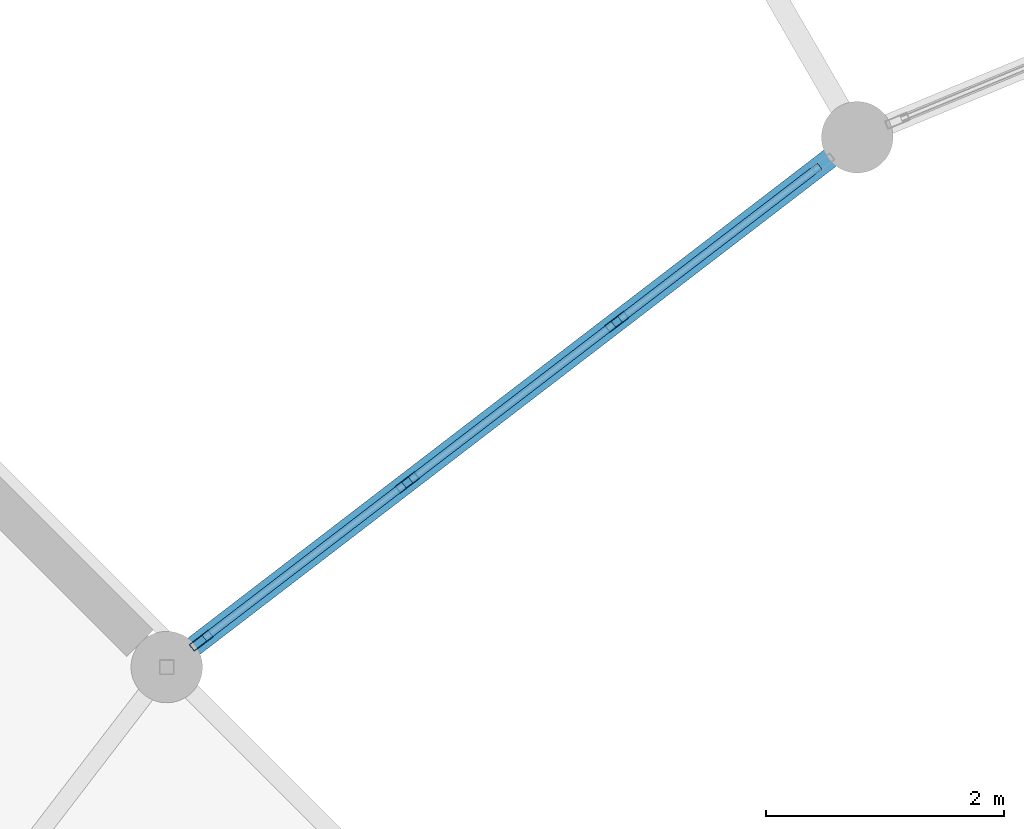
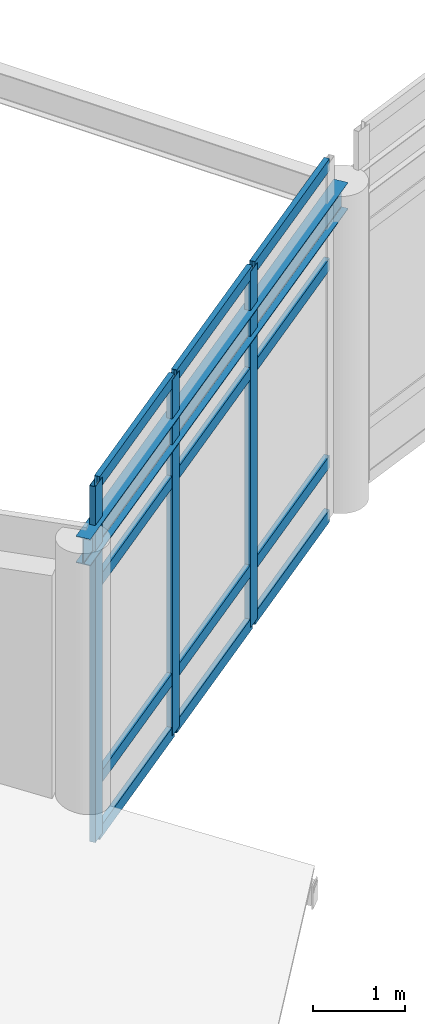
# One storey, part 39 of 93: 15 members, 1 beam, 1 element without a shape of its own.
"""IFC4 building model written with IfcOpenShell, lengths in metres."""

from ifc_helpers import new_model, si_unit, direction, frame, origin, origin_2d, place, context, subcontext, project, spatial, hollow_rectangle, i_section, extrude, material, material_profile, profile_set, type_object, element, aggregate, save


model = new_model("IFC4")

# Units and contexts
model_context = context("Model", 3, precision=1e-05, world=origin(), true_north=direction((0.0, 1.0)))
body_context = subcontext(model_context, "Body", "Model", "MODEL_VIEW")
ifc_project = project(units=[si_unit("LENGTHUNIT", "METRE"), si_unit("AREAUNIT", "SQUARE_METRE"), si_unit("VOLUMEUNIT", "CUBIC_METRE"), si_unit("PLANEANGLEUNIT", "RADIAN"), si_unit("MASSUNIT", "GRAM", prefix="KILO")], contexts=[model_context])

# Site, building, storey
site_placement = place(None, origin())
site = spatial("IfcSite", under=ifc_project, at=site_placement, CompositionType="ELEMENT")
building_placement = place(site_placement, origin())
building = spatial("IfcBuilding", under=site, at=building_placement, Name="Vondelvale Polytechnic", CompositionType="ELEMENT")
storey_placement = place(building_placement, frame((0.0, 0.0, 18.0)))
storey = spatial("IfcBuildingStorey", under=building, at=storey_placement, Name="L04", CompositionType="ELEMENT", Elevation=18.0)

# Beam
ifc_material_1 = material(Name="Steel 300PLUS (fy = 300 MPa)", Category="steel")
ifc_material_profile_1 = material_profile(ifc_material_1, i_section(OverallWidth=0.1708984375, OverallDepth=0.35205078125, WebThickness=0.0068359375, FlangeThickness=0.009765625, FilletRadius=0.011474609375, at=origin_2d()), Name="360UB44.7")
ifc_profile_set_1 = profile_set([ifc_material_profile_1], Name="Steel 300PLUS (fy = 300 MPa)")
beam_type = type_object("IfcBeamType", Name="BM-UB360L", PredefinedType="BEAM", material=ifc_profile_set_1)
beam_placement = place(storey_placement, frame((88.0, 96.248779296875, 4.02392578125), z_axis=(-0.793358469083, -0.608754744979, 0.0), x_axis=(0.608754744979, -0.793358469083, 0.0)))
element("IfcBeam", 1, at=beam_placement, inside=storey, type_object=beam_type, Name="L04 RE B-24", PredefinedType="BEAM", context=body_context, shape_type="SweptSolid", body=[
    extrude(i_section(OverallWidth=0.1708984375, OverallDepth=0.35205078125, WebThickness=0.0068359375, FlangeThickness=0.009765625, FilletRadius=0.011474609375, at=origin_2d()), origin(), (0.0, 0.0, 1.0), 7.3095703125),
])

# Curtain wall, members
ifc_material_2 = material(Name="Anodised extruded aluminium 6063-T6", Category="aluminium")
curtain_wall_type = type_object("IfcCurtainWallType", Name="CW-RING-CLOISTER", PredefinedType="NOTDEFINED", material=ifc_material_2)
curtain_wall_placement = place(storey_placement, origin())
curtain_wall = element("IfcCurtainWall", 2, at=curtain_wall_placement, inside=storey, type_object=curtain_wall_type, Name="L04 architectural curtain wall CW-03-206", PredefinedType="NOTDEFINED")
ifc_material_profile_2 = material_profile(ifc_material_2, hollow_rectangle(XDim=0.070068359375, YDim=0.199951171875, WallThickness=0.00390625, at=origin_2d()), Name="CW-MUL-200x70")
ifc_profile_set_2 = profile_set([ifc_material_profile_2], Name="Anodised extruded aluminium 6063-T6")
member_type_1 = type_object("IfcMemberType", Name="CW-MUL-70x200", PredefinedType="MULLION", material=ifc_profile_set_2)
member_1_placement = place(storey_placement, frame((85.97998046875, 94.69873046875, 0.0), z_axis=(0.0, 0.0, 1.0), x_axis=(0.608747717793, -0.793363861089, 0.0)))
member_1 = element("IfcMember", 3, at=member_1_placement, type_object=member_type_1, Name="CW-03-206 mullion 2", PredefinedType="MULLION", context=body_context, shape_type="SweptSolid", body=[
    extrude(hollow_rectangle(XDim=0.070068359375, YDim=0.199951171875, WallThickness=0.00390625, at=origin_2d()), origin(), (0.0, 0.0, 1.0), 4.713134765625),
])
member_2_placement = place(storey_placement, frame((84.220947265625, 93.348876953125, 0.0), z_axis=(0.0, 0.0, 1.0), x_axis=(0.608747717793, -0.793363861089, 0.0)))
member_2 = element("IfcMember", 4, at=member_2_placement, type_object=member_type_1, Name="CW-03-206 mullion 3", PredefinedType="MULLION", context=body_context, shape_type="SweptSolid", body=[
    extrude(hollow_rectangle(XDim=0.070068359375, YDim=0.199951171875, WallThickness=0.00390625, at=origin_2d()), origin(), (0.0, 0.0, 1.0), 4.713134765625),
])
member_3_placement = place(storey_placement, frame((82.489501953125, 92.0205078125, 0.0), z_axis=(0.0, 0.0, 1.0), x_axis=(0.608747717793, -0.793363861089, 0.0)))
member_3 = element("IfcMember", 5, at=member_3_placement, type_object=member_type_1, Name="CW-03-206 mullion 4", PredefinedType="MULLION", context=body_context, shape_type="SweptSolid", body=[
    extrude(hollow_rectangle(XDim=0.070068359375, YDim=0.199951171875, WallThickness=0.00390625, at=origin_2d()), origin(), (0.0, 0.0, 1.0), 4.713134765625),
])
ifc_material_profile_3 = material_profile(ifc_material_2, hollow_rectangle(XDim=0.06494140625, YDim=0.159912109375, WallThickness=0.00341796875, at=origin_2d()), Name="CW-TRN-160x65")
ifc_profile_set_3 = profile_set([ifc_material_profile_3], Name="Anodised extruded aluminium 6063-T6")
member_type_2 = type_object("IfcMemberType", Name="CW-TRN-70x160", PredefinedType="USERDEFINED", material=ifc_profile_set_3)
member_4_placement = place(storey_placement, frame((87.683837890625, 96.006103515625, 0.032470703125), z_axis=(-0.793336583571, -0.608783266169, 0.0), x_axis=(0.608783266169, -0.793336583571, 0.0)))
member_4 = element("IfcMember", 6, at=member_4_placement, type_object=member_type_2, Name="CW-03-206 transom 1.1", ObjectType="TRANSOM", PredefinedType="USERDEFINED", context=body_context, shape_type="SweptSolid", body=[
    extrude(hollow_rectangle(XDim=0.06494140625, YDim=0.159912109375, WallThickness=0.00341796875, at=origin_2d()), origin(), (0.0, 0.0, 1.0), 2.112548828125),
])
member_5_placement = place(storey_placement, frame((87.683837890625, 96.006103515625, 0.75), z_axis=(-0.793336583571, -0.608783266169, 0.0), x_axis=(0.608783266169, -0.793336583571, 0.0)))
member_5 = element("IfcMember", 7, at=member_5_placement, type_object=member_type_2, Name="CW-03-206 transom 1.2", ObjectType="TRANSOM", PredefinedType="USERDEFINED", context=body_context, shape_type="SweptSolid", body=[
    extrude(hollow_rectangle(XDim=0.06494140625, YDim=0.159912109375, WallThickness=0.00341796875, at=origin_2d()), origin(), (0.0, 0.0, 1.0), 2.112548828125),
])
member_6_placement = place(storey_placement, frame((87.683837890625, 96.006103515625, 3.36328125), z_axis=(-0.793336583571, -0.608783266169, 0.0), x_axis=(0.608783266169, -0.793336583571, 0.0)))
member_6 = element("IfcMember", 8, at=member_6_placement, type_object=member_type_2, Name="CW-03-206 transom 1.3", ObjectType="TRANSOM", PredefinedType="USERDEFINED", context=body_context, shape_type="SweptSolid", body=[
    extrude(hollow_rectangle(XDim=0.06494140625, YDim=0.159912109375, WallThickness=0.00341796875, at=origin_2d()), origin(), (0.0, 0.0, 1.0), 2.112548828125),
])
member_7_placement = place(storey_placement, frame((87.683837890625, 96.006103515625, 4.6806640625), z_axis=(-0.793336583571, -0.608783266169, 0.0), x_axis=(0.608783266169, -0.793336583571, 0.0)))
member_7 = element("IfcMember", 9, at=member_7_placement, type_object=member_type_2, Name="CW-03-206 transom 1.4", ObjectType="TRANSOM", PredefinedType="USERDEFINED", context=body_context, shape_type="SweptSolid", body=[
    extrude(hollow_rectangle(XDim=0.06494140625, YDim=0.159912109375, WallThickness=0.00341796875, at=origin_2d()), origin(), (0.0, 0.0, 1.0), 2.112548828125),
])
member_8_placement = place(storey_placement, frame((85.952392578125, 94.677490234375, 0.032470703125), z_axis=(-0.793375728306, -0.608732251269, 0.0), x_axis=(0.608732251269, -0.793375728306, 0.0)))
member_8 = element("IfcMember", 10, at=member_8_placement, type_object=member_type_2, Name="CW-03-206 transom 2.1", ObjectType="TRANSOM", PredefinedType="USERDEFINED", context=body_context, shape_type="SweptSolid", body=[
    extrude(hollow_rectangle(XDim=0.06494140625, YDim=0.159912109375, WallThickness=0.00341796875, at=origin_2d()), origin(), (0.0, 0.0, 1.0), 2.147216796875),
])
member_9_placement = place(storey_placement, frame((85.952392578125, 94.677490234375, 0.75), z_axis=(-0.793375728306, -0.608732251269, 0.0), x_axis=(0.608732251269, -0.793375728306, 0.0)))
member_9 = element("IfcMember", 11, at=member_9_placement, type_object=member_type_2, Name="CW-03-206 transom 2.2", ObjectType="TRANSOM", PredefinedType="USERDEFINED", context=body_context, shape_type="SweptSolid", body=[
    extrude(hollow_rectangle(XDim=0.06494140625, YDim=0.159912109375, WallThickness=0.00341796875, at=origin_2d()), origin(), (0.0, 0.0, 1.0), 2.147216796875),
])
member_10_placement = place(storey_placement, frame((85.952392578125, 94.677490234375, 3.36328125), z_axis=(-0.793375728306, -0.608732251269, 0.0), x_axis=(0.608732251269, -0.793375728306, 0.0)))
member_10 = element("IfcMember", 12, at=member_10_placement, type_object=member_type_2, Name="CW-03-206 transom 2.3", ObjectType="TRANSOM", PredefinedType="USERDEFINED", context=body_context, shape_type="SweptSolid", body=[
    extrude(hollow_rectangle(XDim=0.06494140625, YDim=0.159912109375, WallThickness=0.00341796875, at=origin_2d()), origin(), (0.0, 0.0, 1.0), 2.147216796875),
])
member_11_placement = place(storey_placement, frame((85.952392578125, 94.677490234375, 4.6806640625), z_axis=(-0.793375728306, -0.608732251269, 0.0), x_axis=(0.608732251269, -0.793375728306, 0.0)))
member_11 = element("IfcMember", 13, at=member_11_placement, type_object=member_type_2, Name="CW-03-206 transom 2.4", ObjectType="TRANSOM", PredefinedType="USERDEFINED", context=body_context, shape_type="SweptSolid", body=[
    extrude(hollow_rectangle(XDim=0.06494140625, YDim=0.159912109375, WallThickness=0.00341796875, at=origin_2d()), origin(), (0.0, 0.0, 1.0), 2.147216796875),
])
member_12_placement = place(storey_placement, frame((84.193115234375, 93.32763671875, 0.032470703125), z_axis=(-0.793349569285, -0.608766343448, 0.0), x_axis=(0.608766343448, -0.793349569285, 0.0)))
member_12 = element("IfcMember", 14, at=member_12_placement, type_object=member_type_2, Name="CW-03-206 transom 3.1", ObjectType="TRANSOM", PredefinedType="USERDEFINED", context=body_context, shape_type="SweptSolid", body=[
    extrude(hollow_rectangle(XDim=0.06494140625, YDim=0.159912109375, WallThickness=0.00341796875, at=origin_2d()), origin(), (0.0, 0.0, 1.0), 2.1123046875),
])
member_13_placement = place(storey_placement, frame((84.193115234375, 93.32763671875, 0.75), z_axis=(-0.793349569285, -0.608766343448, 0.0), x_axis=(0.608766343448, -0.793349569285, 0.0)))
member_13 = element("IfcMember", 15, at=member_13_placement, type_object=member_type_2, Name="CW-03-206 transom 3.2", ObjectType="TRANSOM", PredefinedType="USERDEFINED", context=body_context, shape_type="SweptSolid", body=[
    extrude(hollow_rectangle(XDim=0.06494140625, YDim=0.159912109375, WallThickness=0.00341796875, at=origin_2d()), origin(), (0.0, 0.0, 1.0), 2.1123046875),
])
member_14_placement = place(storey_placement, frame((84.193115234375, 93.32763671875, 3.36328125), z_axis=(-0.793349569285, -0.608766343448, 0.0), x_axis=(0.608766343448, -0.793349569285, 0.0)))
member_14 = element("IfcMember", 16, at=member_14_placement, type_object=member_type_2, Name="CW-03-206 transom 3.3", ObjectType="TRANSOM", PredefinedType="USERDEFINED", context=body_context, shape_type="SweptSolid", body=[
    extrude(hollow_rectangle(XDim=0.06494140625, YDim=0.159912109375, WallThickness=0.00341796875, at=origin_2d()), origin(), (0.0, 0.0, 1.0), 2.1123046875),
])
member_15_placement = place(storey_placement, frame((84.193115234375, 93.32763671875, 4.6806640625), z_axis=(-0.793349569285, -0.608766343448, 0.0), x_axis=(0.608766343448, -0.793349569285, 0.0)))
member_15 = element("IfcMember", 17, at=member_15_placement, type_object=member_type_2, Name="CW-03-206 transom 3.4", ObjectType="TRANSOM", PredefinedType="USERDEFINED", context=body_context, shape_type="SweptSolid", body=[
    extrude(hollow_rectangle(XDim=0.06494140625, YDim=0.159912109375, WallThickness=0.00341796875, at=origin_2d()), origin(), (0.0, 0.0, 1.0), 2.1123046875),
])
aggregate(curtain_wall, [member_1, member_2, member_3, member_4, member_5, member_6, member_7, member_8, member_9, member_10, member_11, member_12, member_13, member_14, member_15])

save(model, "model.ifc")
